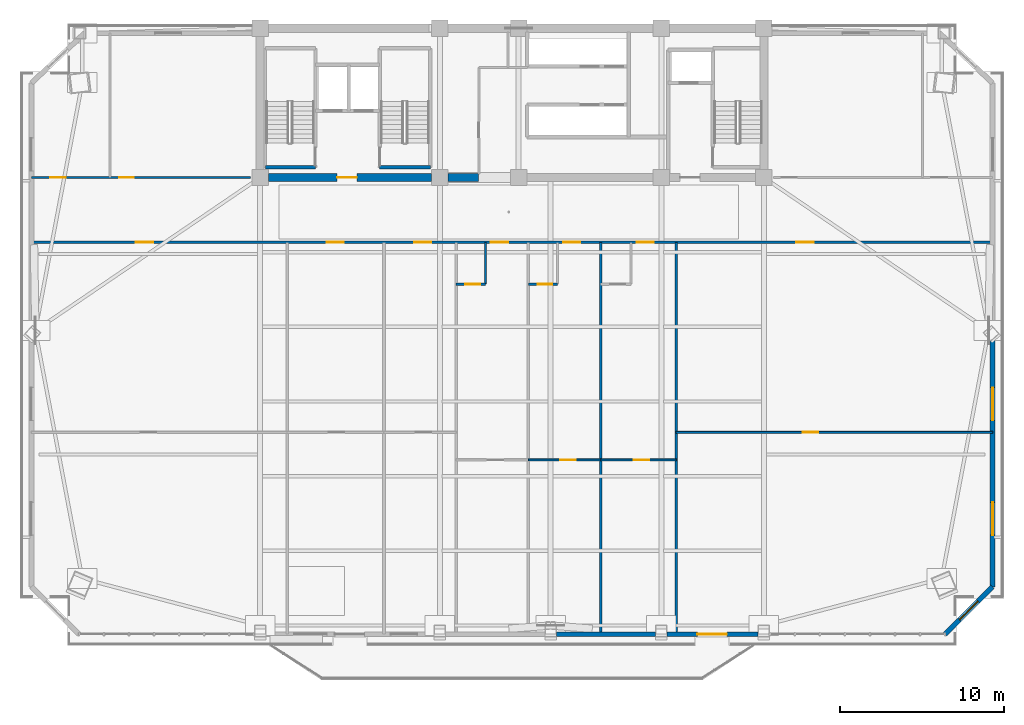
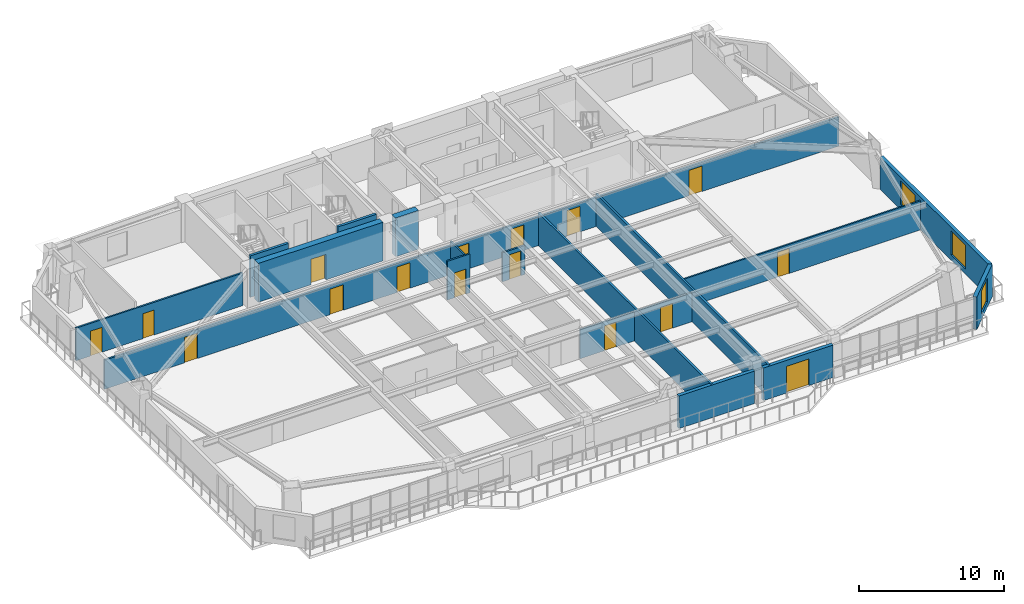
# One storey, part 8 of 15: 18 walls, 16 doors, 3 windows, 19 openings.
"""IFC4 building model written with IfcOpenShell, lengths in metres."""

import ifcopenshell
import ifcopenshell.guid

model = None  # the IFC model being written
_history = None  # IfcOwnerHistory: only IFC2X3 demands one
_inside = {}  # id of a spatial element -> (the spatial element, [elements in it])
_under = {}  # id of a project, library or spatial element -> (it, [spatial elements below it])
_declared = {}  # id of a project -> (the project, [libraries it declares])
_typed = {}  # id of a type object -> (the type object, [elements of that type])
_made_of = {}  # id of a material, layer set ... -> (it, [elements and type objects made of it])


def new_model(schema):
    """Start an empty IFC model of exactly this schema.

    Asked for "IFC4X3", IfcOpenShell would pick the latest addendum, in which some entities
    have other attributes; the version numbers below select the first issue.
    IFC2X3 requires an IfcOwnerHistory on every rooted entity: one is made here for all.
    """
    global model, _history
    if schema == "IFC4X3":
        model = ifcopenshell.file(schema_version=(4, 3, 0, 0))
    else:
        model = ifcopenshell.file(schema=schema)
    _inside.clear()
    _under.clear()
    _declared.clear()
    _typed.clear()
    _made_of.clear()
    _history = None
    if model.schema == "IFC2X3":
        org = make("IfcOrganization", Name="unknown")
        user = make(
            "IfcPersonAndOrganization",
            ThePerson=make("IfcPerson", FamilyName="unknown"),
            TheOrganization=org,
        )
        app = make(
            "IfcApplication",
            ApplicationDeveloper=org,
            Version="unknown",
            ApplicationFullName="unknown",
            ApplicationIdentifier="unknown",
        )
        _history = make(
            "IfcOwnerHistory",
            OwningUser=user,
            OwningApplication=app,
            ChangeAction="ADDED",
            CreationDate=0,
        )
    return model


def make(cls, **values):
    """One entity of the class cls with the attributes given. An attribute that is None is left unset."""
    return model.create_entity(
        cls, **{name: value for name, value in values.items() if value is not None}
    )


def rooted(cls, **values):
    """An entity with a GlobalId (a new one), such as an element, a storey or a relation."""
    return make(cls, GlobalId=ifcopenshell.guid.new(), OwnerHistory=_history, **values)


def si_unit(unit_type, name, prefix=None):
    """IfcSIUnit, for example si_unit("LENGTHUNIT", "METRE", prefix="MILLI")."""
    return make("IfcSIUnit", UnitType=unit_type, Prefix=prefix, Name=name)


def assignment(units):
    """IfcUnitAssignment: the units of a project."""
    return None if units is None else make("IfcUnitAssignment", Units=units)


def point(xyz):
    """IfcCartesianPoint."""
    return None if xyz is None else make("IfcCartesianPoint", Coordinates=xyz)


def direction(xyz):
    """IfcDirection."""
    return None if xyz is None else make("IfcDirection", DirectionRatios=xyz)


def frame(location, z_axis=None, x_axis=None):
    """IfcAxis2Placement3D, a coordinate frame: its origin and axes. An axis left out is left unset."""
    return make(
        "IfcAxis2Placement3D",
        Location=point(location),
        Axis=direction(z_axis),
        RefDirection=direction(x_axis),
    )


def frame_2d(location, x_axis=None):
    """IfcAxis2Placement2D, a coordinate frame in the plane: its origin and x axis."""
    return make(
        "IfcAxis2Placement2D", Location=point(location), RefDirection=direction(x_axis)
    )


def origin():
    """The frame at (0, 0, 0) with its axes left unset."""
    return frame((0.0, 0.0, 0.0))


def place(relative_to, where):
    """IfcLocalPlacement: puts the frame where relative to a parent placement (None: the world)."""
    return make(
        "IfcLocalPlacement", PlacementRelTo=relative_to, RelativePlacement=where
    )


def context(
    kind, dimensions, precision=None, world=None, true_north=None, identifier=None
):
    """IfcGeometricRepresentationContext, for example the 3D "Model" context."""
    return make(
        "IfcGeometricRepresentationContext",
        ContextIdentifier=identifier,
        ContextType=kind,
        CoordinateSpaceDimension=dimensions,
        Precision=precision,
        WorldCoordinateSystem=world,
        TrueNorth=true_north,
    )


def subcontext(parent, identifier, kind, view, scale=None):
    """IfcGeometricRepresentationSubContext, for example "Body" below "Model"."""
    return make(
        "IfcGeometricRepresentationSubContext",
        ContextIdentifier=identifier,
        ContextType=kind,
        ParentContext=parent,
        TargetScale=scale,
        TargetView=view,
    )


def project(units=None, contexts=None):
    """IfcProject with its units and contexts."""
    return rooted(
        "IfcProject",
        Name="project",
        RepresentationContexts=contexts,
        UnitsInContext=assignment(units),
    )


def spatial(cls, under=None, at=None, **own):
    """A site, building, storey or space (cls), placed at a placement, below another one or the project."""
    s = rooted(cls, ObjectPlacement=at, **own)
    if under is not None:
        _under.setdefault(under.id(), (under, []))[1].append(s)
    return s


def profile(cls, at=None, kind="AREA", **sizes):
    """A parametric profile (cls). Its sizes go by their IFC names, for example OverallWidth=200.0."""
    return make(cls, ProfileType=kind, Position=at, **sizes)


def rectangle(**sizes):
    """IfcRectangleProfileDef."""
    return profile("IfcRectangleProfileDef", **sizes)


def extrude(swept, where, along, depth):
    """IfcExtrudedAreaSolid: the profile swept, set in the frame where, extruded along a direction by depth."""
    return make(
        "IfcExtrudedAreaSolid",
        SweptArea=swept,
        Position=where,
        ExtrudedDirection=direction(along),
        Depth=depth,
    )


def shape(context_of_items, identifier, shape_type, items):
    """IfcShapeRepresentation: the items that make up one representation, for example the "Body"."""
    return make(
        "IfcShapeRepresentation",
        ContextOfItems=context_of_items,
        RepresentationIdentifier=identifier,
        RepresentationType=shape_type,
        Items=items,
    )


def source(mapping_origin, context_of_items, identifier, shape_type, items):
    """IfcRepresentationMap: a shape defined once, which mapped items show again and again."""
    return make(
        "IfcRepresentationMap",
        MappingOrigin=mapping_origin,
        MappedRepresentation=shape(context_of_items, identifier, shape_type, items),
    )


def transform(
    local_origin,
    x_axis=None,
    y_axis=None,
    z_axis=None,
    scale=None,
    scale2=None,
    scale3=None,
    uniform=True,
):
    """IfcCartesianTransformationOperator3D, or its non-uniform kind. x_axis, y_axis, z_axis: its Axis1, 2, 3."""
    if uniform:
        return make(
            "IfcCartesianTransformationOperator3D",
            Axis1=direction(x_axis),
            Axis2=direction(y_axis),
            LocalOrigin=point(local_origin),
            Scale=scale,
            Axis3=direction(z_axis),
        )
    return make(
        "IfcCartesianTransformationOperator3DnonUniform",
        Axis1=direction(x_axis),
        Axis2=direction(y_axis),
        LocalOrigin=point(local_origin),
        Scale=scale,
        Axis3=direction(z_axis),
        Scale2=scale2,
        Scale3=scale3,
    )


def mapped(mapping_source, mapping_target):
    """IfcMappedItem: shows the shape of a source again, moved by a transform."""
    return make(
        "IfcMappedItem", MappingSource=mapping_source, MappingTarget=mapping_target
    )


def material(Name=None, Category=None):
    """IfcMaterial."""
    return make("IfcMaterial", Name=Name, Category=Category)


def layer(
    of_material, thickness, ventilated=None, Name=None, Category=None, Priority=None
):
    """IfcMaterialLayer: one layer of a wall or slab, of a material (None: an air gap)."""
    return make(
        "IfcMaterialLayer",
        Material=of_material,
        LayerThickness=thickness,
        IsVentilated=ventilated,
        Name=Name,
        Category=Category,
        Priority=Priority,
    )


def layer_set(layers, Name=None):
    """IfcMaterialLayerSet."""
    return make("IfcMaterialLayerSet", MaterialLayers=layers, LayerSetName=Name)


def made_of(thing, what):
    """Note that an element or type object is made of a material, layer set ...; save() writes the relation."""
    if what is not None:
        _made_of.setdefault(what.id(), (what, []))[1].append(thing)
    return thing


def type_object(cls, material=None, **own):
    """A type object (cls), such as IfcWallType, which elements share."""
    return made_of(rooted(cls, **own), material)


def element(
    cls,
    number,
    at=None,
    inside=None,
    cuts=None,
    type_object=None,
    material=None,
    context=None,
    identifier="Body",
    shape_type=None,
    held_by="IfcProductDefinitionShape",
    body=None,
    shapes=None,
    **own,
):
    """One element of the class cls, such as IfcWall. Its Tag is "e" and its number.

    at: its placement. inside: the storey or other place that contains it. cuts: it is an
    opening in that element (IfcRelVoidsElement). A single representation is given by context,
    identifier, shape_type and body (its items); several are given by shapes. held_by: the class
    of the entity that holds the representations. save() writes the other relations.
    """
    e = rooted(cls, Tag="e%d" % number, ObjectPlacement=at, **own)
    if body is not None:
        shapes = [shape(context, identifier, shape_type, body)]
    if shapes is not None:
        e.Representation = make(held_by, Representations=shapes)
    if inside is not None:
        _inside.setdefault(inside.id(), (inside, []))[1].append(e)
    if cuts is not None:
        rooted(
            "IfcRelVoidsElement", RelatingBuildingElement=cuts, RelatedOpeningElement=e
        )
    if type_object is not None:
        _typed.setdefault(type_object.id(), (type_object, []))[1].append(e)
    return made_of(e, material)


def fill(opening, filler):
    """IfcRelFillsElement: the door or window that sits in an opening."""
    return rooted(
        "IfcRelFillsElement",
        RelatingOpeningElement=opening,
        RelatedBuildingElement=filler,
    )


def aggregate(whole, parts):
    """IfcRelAggregates: a whole, such as a stair, and the parts it consists of."""
    return rooted("IfcRelAggregates", RelatingObject=whole, RelatedObjects=parts)


def save(model, path):
    """Write the relations noted so far, then the file.

    IfcRelAggregates (storeys below a building ...), IfcRelContainedInSpatialStructure (elements
    in a storey), IfcRelDefinesByType, IfcRelAssociatesMaterial and IfcRelDeclares: one each for
    every whole, place, type object, material and project.
    """
    for whole, parts in _under.values():
        aggregate(whole, parts)
    for where, things in _inside.values():
        rooted(
            "IfcRelContainedInSpatialStructure",
            RelatedElements=things,
            RelatingStructure=where,
        )
    for kind, things in _typed.values():
        rooted("IfcRelDefinesByType", RelatedObjects=things, RelatingType=kind)
    for what, things in _made_of.values():
        rooted("IfcRelAssociatesMaterial", RelatedObjects=things, RelatingMaterial=what)
    for by, libraries in _declared.values():
        rooted("IfcRelDeclares", RelatingContext=by, RelatedDefinitions=libraries)
    model.write(path)


model = new_model("IFC4")

# Units and contexts
model_context = context("Model", 3, precision=1e-05, world=origin(), true_north=direction((0.0, 1.0)))
body_context = subcontext(model_context, "Body", "Model", "MODEL_VIEW")
ifc_project = project(units=[si_unit("LENGTHUNIT", "METRE"), si_unit("AREAUNIT", "SQUARE_METRE"), si_unit("VOLUMEUNIT", "CUBIC_METRE"), si_unit("PLANEANGLEUNIT", "RADIAN"), si_unit("MASSUNIT", "GRAM", prefix="KILO")], contexts=[model_context])

# Site, building, storey
site_placement = place(None, origin())
site = spatial("IfcSite", under=ifc_project, at=site_placement, CompositionType="ELEMENT")
building_placement = place(site_placement, origin())
building = spatial("IfcBuilding", under=site, at=building_placement, Name="Giltprow Tower", CompositionType="ELEMENT")
storey_placement = place(building_placement, frame((0.0, 0.0, 177.199951171875)))
storey = spatial("IfcBuildingStorey", under=building, at=storey_placement, Name="L44", CompositionType="ELEMENT", Elevation=177.199951171875)

# Wall, opening, window
ifc_material_1 = material(Name="Precast concrete C40", Category="concrete")
ifc_layer_1 = layer(ifc_material_1, 0.300048828125, Name="Precast concrete C40")
ifc_layer_set_1 = layer_set([ifc_layer_1], Name="Precast concrete C40")
wall_type_1 = type_object("IfcWallType", Name="EW-NOTCH-CHAMFER-300", PredefinedType="SOLIDWALL", material=ifc_layer_set_1)
wall_1_placement = place(storey_placement, frame((61.593994140625, 9.6259765625, 0.0), z_axis=(0.0, 0.0, 1.0), x_axis=(0.707106781187, 0.707106781187, 0.0)))
wall_1 = element("IfcWall", 1, at=wall_1_placement, inside=storey, type_object=wall_type_1, Name="L44 Corner Notch Wall SE", PredefinedType="SOLIDWALL", context=body_context, shape_type="SweptSolid", body=[
    extrude(rectangle(XDim=4.082763671875, YDim=0.300048828125, at=frame_2d((2.04150390625, 0.0))), origin(), (0.0, 0.0, 1.0), 2.75),
])
opening_1_placement = place(wall_1_placement, frame((1.240966796875, 0.0, 0.449951171875)))
opening_1 = element("IfcOpeningElement", 2, at=opening_1_placement, cuts=wall_1, Name="Opening WN17", PredefinedType="OPENING", context=body_context, shape_type="SweptSolid", body=[
    extrude(rectangle(XDim=1.60009765625, YDim=2.0, at=frame_2d((0.800048828125, 1.0))), frame((0.0, 0.159912109375, 0.0), z_axis=(0.0, -1.0, 0.0), x_axis=(1.0, 0.0, 0.0)), (0.0, 0.0, 1.0), 0.320068359375),
])
ifc_material_2 = material(Name="Insulated glass", Category="glass")
window_type_1 = type_object("IfcWindowType", Name="WN-COR-1600x2000", PartitioningType="SINGLE_PANEL", PredefinedType="WINDOW", material=ifc_material_2)
shared_shape_1 = source(origin(), body_context, "Body", "SweptSolid", [
    extrude(rectangle(XDim=1.60009765625, YDim=2.0, at=frame_2d((0.800048828125, 1.0))), frame((0.0, 0.030029296875, 0.0), z_axis=(0.0, -1.0, 0.0), x_axis=(1.0, 0.0, 0.0)), (0.0, 0.0, 1.0), 0.06005859375),
])
window_1_placement = place(opening_1_placement, origin())
window_1 = element("IfcWindow", 3, at=window_1_placement, inside=storey, type_object=window_type_1, Name="L44 Corner Notch Window SE", OverallHeight=2.0, OverallWidth=1.60009765625, PartitioningType="SINGLE_PANEL", PredefinedType="WINDOW", context=body_context, shape_type="MappedRepresentation", body=[
    mapped(shared_shape_1, transform((0.0, 0.0, 0.0), x_axis=(1.0, 0.0, 0.0), y_axis=(0.0, 1.0, 0.0), z_axis=(0.0, 0.0, 1.0), scale=1.0)),
])
fill(opening_1, window_1)

# Wall
ifc_layer_2 = layer(ifc_material_1, 0.280029296875, Name="Precast concrete C40")
ifc_layer_set_2 = layer_set([ifc_layer_2], Name="Precast concrete C40")
wall_type_2 = type_object("IfcWallType", Name="EW-TOW-BRONZE-280", PredefinedType="SOLIDWALL", material=ifc_layer_set_2)
wall_2_placement = place(storey_placement, frame((37.89990234375, 9.6259765625, 0.0), z_axis=(0.0, 0.0, 1.0), x_axis=(1.0, 0.0, 0.0)))
element("IfcWall", 4, at=wall_2_placement, inside=storey, type_object=wall_type_2, Name="L44 South Expressed Frame Wall 4", PredefinedType="SOLIDWALL", context=body_context, shape_type="SweptSolid", body=[
    extrude(rectangle(XDim=6.050048828125, YDim=0.280029296875, at=frame_2d((3.02490234375, 0.0))), origin(), (0.0, 0.0, 1.0), 2.75),
])

# Wall, opening, door
wall_3_placement = place(storey_placement, frame((44.64990234375, 9.6259765625, 0.0), z_axis=(0.0, 0.0, 1.0), x_axis=(1.0, 0.0, 0.0)))
wall_3 = element("IfcWall", 5, at=wall_3_placement, inside=storey, type_object=wall_type_2, Name="L44 South Expressed Frame Wall 5", PredefinedType="SOLIDWALL", context=body_context, shape_type="SweptSolid", body=[
    extrude(rectangle(XDim=5.550048828125, YDim=0.280029296875, at=frame_2d((2.77490234375, 0.0))), origin(), (0.0, 0.0, 1.0), 2.75),
])
opening_2_placement = place(wall_3_placement, frame((1.85009765625, 0.0, 0.0)))
opening_2 = element("IfcOpeningElement", 6, at=opening_2_placement, cuts=wall_3, Name="Opening ED25", PredefinedType="OPENING", context=body_context, shape_type="SweptSolid", body=[
    extrude(rectangle(XDim=1.800048828125, YDim=2.25, at=frame_2d((0.89990234375, 1.125))), frame((0.0, 0.14990234375, 0.0), z_axis=(0.0, -1.0, 0.0), x_axis=(1.0, 0.0, 0.0)), (0.0, 0.0, 1.0), 0.300048828125),
])
ifc_material_3 = material(Name="Anodized bronze and glass", Category="glass")
door_type_1 = type_object("IfcDoorType", Name="DR-BALC-SLIDE-1800", OperationType="SLIDING_TO_LEFT", PredefinedType="DOOR", material=ifc_material_3)
shared_shape_2 = source(origin(), body_context, "Body", "SweptSolid", [
    extrude(rectangle(XDim=1.800048828125, YDim=2.25, at=frame_2d((0.89990234375, 1.125))), frame((0.0, 0.02490234375, 0.0), z_axis=(0.0, -1.0, 0.0), x_axis=(1.0, 0.0, 0.0)), (0.0, 0.0, 1.0), 0.050048828125),
])
door_1_placement = place(opening_2_placement, origin())
door_1 = element("IfcDoor", 7, at=door_1_placement, inside=storey, type_object=door_type_1, Name="L44 Waterfront Balcony Sliding Door 2", OperationType="SLIDING_TO_LEFT", OverallHeight=2.25, OverallWidth=1.800048828125, PredefinedType="DOOR", context=body_context, shape_type="MappedRepresentation", body=[
    mapped(shared_shape_2, transform((0.0, 0.0, 0.0), x_axis=(1.0, 0.0, 0.0), y_axis=(0.0, 1.0, 0.0), z_axis=(0.0, 0.0, 1.0), scale=1.0)),
])
fill(opening_2, door_1)

# Wall, openings, windows
wall_4_placement = place(storey_placement, frame((64.48095703125, 12.512939453125, 0.0), z_axis=(0.0, 0.0, 1.0), x_axis=(0.0, 1.0, 0.0)))
wall_4 = element("IfcWall", 8, at=wall_4_placement, inside=storey, type_object=wall_type_2, Name="L44 E Wing Masonry Wall 1", PredefinedType="SOLIDWALL", context=body_context, shape_type="SweptSolid", body=[
    extrude(rectangle(XDim=15.0, YDim=0.280029296875, at=frame_2d((7.5, 0.0))), origin(), (0.0, 0.0, 1.0), 2.75),
])
opening_3_placement = place(wall_4_placement, frame((3.139892578125, 0.0, 0.449951171875)))
opening_3 = element("IfcOpeningElement", 9, at=opening_3_placement, cuts=wall_4, Name="Opening WN21", PredefinedType="OPENING", context=body_context, shape_type="SweptSolid", body=[
    extrude(rectangle(XDim=2.0, YDim=2.0, at=frame_2d((1.0, 1.0))), frame((0.0, 0.14990234375, 0.0), z_axis=(0.0, -1.0, 0.0), x_axis=(1.0, 0.0, 0.0)), (0.0, 0.0, 1.0), 0.300048828125),
])
opening_4_placement = place(wall_4_placement, frame((10.139892578125, 0.0, 0.449951171875)))
opening_4 = element("IfcOpeningElement", 10, at=opening_4_placement, cuts=wall_4, Name="Opening WN21", PredefinedType="OPENING", context=body_context, shape_type="SweptSolid", body=[
    extrude(rectangle(XDim=2.0, YDim=2.0, at=frame_2d((1.0, 1.0))), frame((0.0, 0.14990234375, 0.0), z_axis=(0.0, -1.0, 0.0), x_axis=(1.0, 0.0, 0.0)), (0.0, 0.0, 1.0), 0.300048828125),
])
window_type_2 = type_object("IfcWindowType", Name="WN-HTL-2000x2000", PartitioningType="DOUBLE_PANEL_VERTICAL", PredefinedType="WINDOW", material=ifc_material_2)
shared_shape_3 = source(origin(), body_context, "Body", "SweptSolid", [
    extrude(rectangle(XDim=2.0, YDim=2.0, at=frame_2d((1.0, 1.0))), frame((0.0, 0.030029296875, 0.0), z_axis=(0.0, -1.0, 0.0), x_axis=(1.0, 0.0, 0.0)), (0.0, 0.0, 1.0), 0.06005859375),
])
window_2_placement = place(opening_3_placement, origin())
window_2 = element("IfcWindow", 11, at=window_2_placement, inside=storey, type_object=window_type_2, Name="L44 E Wing Window 1-1A", OverallHeight=2.0, OverallWidth=2.0, PartitioningType="SINGLE_PANEL", PredefinedType="WINDOW", context=body_context, shape_type="MappedRepresentation", body=[
    mapped(shared_shape_3, transform((0.0, 0.0, 0.0), x_axis=(1.0, 0.0, 0.0), y_axis=(0.0, 1.0, 0.0), z_axis=(0.0, 0.0, 1.0), scale=1.0)),
])
fill(opening_3, window_2)
window_3_placement = place(opening_4_placement, origin())
window_3 = element("IfcWindow", 12, at=window_3_placement, inside=storey, type_object=window_type_2, Name="L44 E Wing Window 1-1B", OverallHeight=2.0, OverallWidth=2.0, PartitioningType="SINGLE_PANEL", PredefinedType="WINDOW", context=body_context, shape_type="MappedRepresentation", body=[
    mapped(shared_shape_3, transform((0.0, 0.0, 0.0), x_axis=(1.0, 0.0, 0.0), y_axis=(0.0, 1.0, 0.0), z_axis=(0.0, 0.0, 1.0), scale=1.0)),
])
fill(opening_4, window_3)

# Wall, openings, doors
ifc_material_4 = material(Name="Gypsum stud partition", Category="gypsum")
ifc_layer_3 = layer(ifc_material_4, 0.14990234375, Name="Gypsum stud partition")
ifc_layer_set_3 = layer_set([ifc_layer_3], Name="Gypsum stud partition")
wall_type_3 = type_object("IfcWallType", Name="IW-CORR-150", PredefinedType="PARTITIONING", material=ifc_layer_set_3)
wall_5_placement = place(storey_placement, frame((5.9189453125, 33.5, 0.0), z_axis=(0.0, 0.0, 1.0), x_axis=(1.0, 0.0, 0.0)))
wall_5 = element("IfcWall", 13, at=wall_5_placement, inside=storey, type_object=wall_type_3, Name="L44 Hotel Guestroom Corridor Wall", PredefinedType="PARTITIONING", context=body_context, shape_type="SweptSolid", body=[
    extrude(rectangle(XDim=58.56201171875, YDim=0.14990234375, at=frame_2d((29.281005859375, 0.0))), origin(), (0.0, 0.0, 1.0), 2.455078125),
])
opening_5_placement = place(wall_5_placement, frame((6.360107421875, 0.0, 0.0)))
opening_5 = element("IfcOpeningElement", 14, at=opening_5_placement, cuts=wall_5, Name="Opening ID31", PredefinedType="OPENING", context=body_context, shape_type="SweptSolid", body=[
    extrude(rectangle(XDim=1.050048828125, YDim=2.14990234375, at=frame_2d((0.52490234375, 1.074951171875))), frame((0.0, 0.0849609375, 0.0), z_axis=(0.0, -1.0, 0.0), x_axis=(1.0, 0.0, 0.0)), (0.0, 0.0, 1.0), 0.169921875),
])
opening_6_placement = place(wall_5_placement, frame((17.991943359375, 0.0, 0.0)))
opening_6 = element("IfcOpeningElement", 15, at=opening_6_placement, cuts=wall_5, Name="Opening ID31", PredefinedType="OPENING", context=body_context, shape_type="SweptSolid", body=[
    extrude(rectangle(XDim=1.050048828125, YDim=2.14990234375, at=frame_2d((0.52490234375, 1.074951171875))), frame((0.0, 0.0849609375, 0.0), z_axis=(0.0, -1.0, 0.0), x_axis=(1.0, 0.0, 0.0)), (0.0, 0.0, 1.0), 0.169921875),
])
opening_7_placement = place(wall_5_placement, frame((23.322021484375, 0.0, 0.0)))
opening_7 = element("IfcOpeningElement", 16, at=opening_7_placement, cuts=wall_5, Name="Opening ID31", PredefinedType="OPENING", context=body_context, shape_type="SweptSolid", body=[
    extrude(rectangle(XDim=1.050048828125, YDim=2.14990234375, at=frame_2d((0.52490234375, 1.074951171875))), frame((0.0, 0.0849609375, 0.0), z_axis=(0.0, -1.0, 0.0), x_axis=(1.0, 0.0, 0.0)), (0.0, 0.0, 1.0), 0.169921875),
])
opening_8_placement = place(wall_5_placement, frame((27.9970703125, 0.0, 0.0)))
opening_8 = element("IfcOpeningElement", 17, at=opening_8_placement, cuts=wall_5, Name="Opening ID31", PredefinedType="OPENING", context=body_context, shape_type="SweptSolid", body=[
    extrude(rectangle(XDim=1.050048828125, YDim=2.14990234375, at=frame_2d((0.52490234375, 1.074951171875))), frame((0.0, 0.0849609375, 0.0), z_axis=(0.0, -1.0, 0.0), x_axis=(1.0, 0.0, 0.0)), (0.0, 0.0, 1.0), 0.169921875),
])
opening_9_placement = place(wall_5_placement, frame((32.39697265625, 0.0, 0.0)))
opening_9 = element("IfcOpeningElement", 18, at=opening_9_placement, cuts=wall_5, Name="Opening ID31", PredefinedType="OPENING", context=body_context, shape_type="SweptSolid", body=[
    extrude(rectangle(XDim=1.050048828125, YDim=2.14990234375, at=frame_2d((0.52490234375, 1.074951171875))), frame((0.0, 0.0849609375, 0.0), z_axis=(0.0, -1.0, 0.0), x_axis=(1.0, 0.0, 0.0)), (0.0, 0.0, 1.0), 0.169921875),
])
opening_10_placement = place(wall_5_placement, frame((36.876953125, 0.0, 0.0)))
opening_10 = element("IfcOpeningElement", 19, at=opening_10_placement, cuts=wall_5, Name="Opening ID31", PredefinedType="OPENING", context=body_context, shape_type="SweptSolid", body=[
    extrude(rectangle(XDim=1.050048828125, YDim=2.14990234375, at=frame_2d((0.52490234375, 1.074951171875))), frame((0.0, 0.0849609375, 0.0), z_axis=(0.0, -1.0, 0.0), x_axis=(1.0, 0.0, 0.0)), (0.0, 0.0, 1.0), 0.169921875),
])
opening_11_placement = place(wall_5_placement, frame((46.612060546875, 0.0, 0.0)))
opening_11 = element("IfcOpeningElement", 20, at=opening_11_placement, cuts=wall_5, Name="Opening ID31", PredefinedType="OPENING", context=body_context, shape_type="SweptSolid", body=[
    extrude(rectangle(XDim=1.050048828125, YDim=2.14990234375, at=frame_2d((0.52490234375, 1.074951171875))), frame((0.0, 0.0849609375, 0.0), z_axis=(0.0, -1.0, 0.0), x_axis=(1.0, 0.0, 0.0)), (0.0, 0.0, 1.0), 0.169921875),
])
ifc_material_5 = material(Name="Engineered timber", Category="wood")
door_type_2 = type_object("IfcDoorType", Name="DR-SUITE-1050", OperationType="SINGLE_SWING_LEFT", PredefinedType="DOOR", material=ifc_material_5)
shared_shape_4 = source(origin(), body_context, "Body", "SweptSolid", [
    extrude(rectangle(XDim=1.050048828125, YDim=2.14990234375, at=frame_2d((0.52490234375, 1.074951171875))), frame((0.0, 0.02490234375, 0.0), z_axis=(0.0, -1.0, 0.0), x_axis=(1.0, 0.0, 0.0)), (0.0, 0.0, 1.0), 0.050048828125),
])
door_2_placement = place(opening_5_placement, origin())
door_2 = element("IfcDoor", 21, at=door_2_placement, inside=storey, type_object=door_type_2, Name="L44 Suite Reception Foyer Door", OperationType="SINGLE_SWING_RIGHT", OverallHeight=2.14990234375, OverallWidth=1.050048828125, PredefinedType="DOOR", context=body_context, shape_type="MappedRepresentation", body=[
    mapped(shared_shape_4, transform((0.0, 0.0, 0.0), x_axis=(1.0, 0.0, 0.0), y_axis=(0.0, 1.0, 0.0), z_axis=(0.0, 0.0, 1.0), scale=1.0)),
])
fill(opening_5, door_2)
door_3_placement = place(opening_6_placement, origin())
door_3 = element("IfcDoor", 22, at=door_3_placement, inside=storey, type_object=door_type_2, Name="L44 Suite Reception Foyer Door", OperationType="SINGLE_SWING_RIGHT", OverallHeight=2.14990234375, OverallWidth=1.050048828125, PredefinedType="DOOR", context=body_context, shape_type="MappedRepresentation", body=[
    mapped(shared_shape_4, transform((0.0, 0.0, 0.0), x_axis=(1.0, 0.0, 0.0), y_axis=(0.0, 1.0, 0.0), z_axis=(0.0, 0.0, 1.0), scale=1.0)),
])
fill(opening_6, door_3)
door_4_placement = place(opening_7_placement, origin())
door_4 = element("IfcDoor", 23, at=door_4_placement, inside=storey, type_object=door_type_2, Name="L44 Suite Reception Foyer Door", OperationType="SINGLE_SWING_RIGHT", OverallHeight=2.14990234375, OverallWidth=1.050048828125, PredefinedType="DOOR", context=body_context, shape_type="MappedRepresentation", body=[
    mapped(shared_shape_4, transform((0.0, 0.0, 0.0), x_axis=(1.0, 0.0, 0.0), y_axis=(0.0, 1.0, 0.0), z_axis=(0.0, 0.0, 1.0), scale=1.0)),
])
fill(opening_7, door_4)
door_5_placement = place(opening_8_placement, origin())
door_5 = element("IfcDoor", 24, at=door_5_placement, inside=storey, type_object=door_type_2, Name="L44 Hotel Room 4 Entry Door", OperationType="SINGLE_SWING_RIGHT", OverallHeight=2.14990234375, OverallWidth=1.050048828125, PredefinedType="DOOR", context=body_context, shape_type="MappedRepresentation", body=[
    mapped(shared_shape_4, transform((0.0, 0.0, 0.0), x_axis=(1.0, 0.0, 0.0), y_axis=(0.0, 1.0, 0.0), z_axis=(0.0, 0.0, 1.0), scale=1.0)),
])
fill(opening_8, door_5)
door_6_placement = place(opening_9_placement, origin())
door_6 = element("IfcDoor", 25, at=door_6_placement, inside=storey, type_object=door_type_2, Name="L44 Hotel Room 5 Entry Door", OperationType="SINGLE_SWING_LEFT", OverallHeight=2.14990234375, OverallWidth=1.050048828125, PredefinedType="DOOR", context=body_context, shape_type="MappedRepresentation", body=[
    mapped(shared_shape_4, transform((0.0, 0.0, 0.0), x_axis=(1.0, 0.0, 0.0), y_axis=(0.0, 1.0, 0.0), z_axis=(0.0, 0.0, 1.0), scale=1.0)),
])
fill(opening_9, door_6)
door_7_placement = place(opening_10_placement, origin())
door_7 = element("IfcDoor", 26, at=door_7_placement, inside=storey, type_object=door_type_2, Name="L44 Hotel Room 6 Entry Door", OperationType="SINGLE_SWING_RIGHT", OverallHeight=2.14990234375, OverallWidth=1.050048828125, PredefinedType="DOOR", context=body_context, shape_type="MappedRepresentation", body=[
    mapped(shared_shape_4, transform((0.0, 0.0, 0.0), x_axis=(1.0, 0.0, 0.0), y_axis=(0.0, 1.0, 0.0), z_axis=(0.0, 0.0, 1.0), scale=1.0)),
])
fill(opening_10, door_7)
door_8_placement = place(opening_11_placement, origin())
door_8 = element("IfcDoor", 27, at=door_8_placement, inside=storey, type_object=door_type_2, Name="L44 Suite Reception Foyer Door", OperationType="SINGLE_SWING_LEFT", OverallHeight=2.14990234375, OverallWidth=1.050048828125, PredefinedType="DOOR", context=body_context, shape_type="MappedRepresentation", body=[
    mapped(shared_shape_4, transform((0.0, 0.0, 0.0), x_axis=(1.0, 0.0, 0.0), y_axis=(0.0, 1.0, 0.0), z_axis=(0.0, 0.0, 1.0), scale=1.0)),
])
fill(opening_11, door_8)

# Walls
ifc_layer_4 = layer(ifc_material_4, 0.159912109375, Name="Gypsum stud partition")
ifc_layer_set_4 = layer_set([ifc_layer_4], Name="Gypsum stud partition")
wall_type_4 = type_object("IfcWallType", Name="IW-DEMISE-160", PredefinedType="PARTITIONING", material=ifc_layer_set_4)
for number, where, z_axis, x_axis, name in (
    (28, (40.60009765625, 9.6259765625, 0.0), (0.0, 0.0, 1.0), (0.0, 1.0, 0.0), "L44 Hotel Demising Wall 5"),
    (29, (45.199951171875, 9.6259765625, 0.0), (0.0, 0.0, 1.0), (0.0, 1.0, 0.0), "L44 Hotel Demising Wall 6"),
):
    element("IfcWall", number, at=place(storey_placement, frame(where, z_axis=z_axis, x_axis=x_axis)), inside=storey, type_object=wall_type_4, Name=name, PredefinedType="PARTITIONING", context=body_context, shape_type="SweptSolid", body=[
        extrude(rectangle(XDim=23.8740234375, YDim=0.159912109375, at=frame_2d((11.93701171875, 0.0))), origin(), (0.0, 0.0, 1.0), 2.755126953125),
    ])

# Wall, opening, door
ifc_layer_5 = layer(ifc_material_4, 0.1201171875, Name="Gypsum stud partition")
ifc_layer_set_5 = layer_set([ifc_layer_5], Name="Gypsum stud partition")
wall_type_5 = type_object("IfcWallType", Name="IW-ROOM-120", PredefinedType="PARTITIONING", material=ifc_layer_set_5)
wall_6_placement = place(storey_placement, frame((36.199951171875, 20.239990234375, 0.0), z_axis=(0.0, 0.0, 1.0), x_axis=(1.0, 0.0, 0.0)))
wall_6 = element("IfcWall", 30, at=wall_6_placement, inside=storey, type_object=wall_type_5, Name="L44 Suite Parlour Divider 5", PredefinedType="PARTITIONING", context=body_context, shape_type="SweptSolid", body=[
    extrude(rectangle(XDim=4.400146484375, YDim=0.1201171875, at=frame_2d((2.2001953125, 0.0))), origin(), (0.0, 0.0, 1.0), 2.455078125),
])
opening_12_placement = place(wall_6_placement, frame((1.925048828125, 0.0, 0.0)))
opening_12 = element("IfcOpeningElement", 31, at=opening_12_placement, cuts=wall_6, Name="Opening ID11", PredefinedType="OPENING", context=body_context, shape_type="SweptSolid", body=[
    extrude(rectangle(XDim=0.949951171875, YDim=2.10009765625, at=frame_2d((0.47509765625, 1.050048828125))), frame((0.0, 0.070068359375, 0.0), z_axis=(0.0, -1.0, 0.0), x_axis=(1.0, 0.0, 0.0)), (0.0, 0.0, 1.0), 0.14013671875),
])
door_type_3 = type_object("IfcDoorType", Name="DR-ROOM-950", OperationType="SINGLE_SWING_RIGHT", PredefinedType="DOOR", material=ifc_material_5)
shared_shape_5 = source(origin(), body_context, "Body", "SweptSolid", [
    extrude(rectangle(XDim=0.949951171875, YDim=2.10009765625, at=frame_2d((0.47509765625, 1.050048828125))), frame((0.0, 0.02490234375, 0.0), z_axis=(0.0, -1.0, 0.0), x_axis=(1.0, 0.0, 0.0)), (0.0, 0.0, 1.0), 0.050048828125),
])
door_9_placement = place(opening_12_placement, origin())
door_9 = element("IfcDoor", 32, at=door_9_placement, inside=storey, type_object=door_type_3, Name="L44 Harbour Parlour 5 Door", OperationType="SINGLE_SWING_LEFT", OverallHeight=2.10009765625, OverallWidth=0.949951171875, PredefinedType="DOOR", context=body_context, shape_type="MappedRepresentation", body=[
    mapped(shared_shape_5, transform((0.0, 0.0, 0.0), x_axis=(1.0, 0.0, 0.0), y_axis=(0.0, 1.0, 0.0), z_axis=(0.0, 0.0, 1.0), scale=1.0)),
])
fill(opening_12, door_9)

wall_7_placement = place(storey_placement, frame((40.60009765625, 20.239990234375, 0.0), z_axis=(0.0, 0.0, 1.0), x_axis=(1.0, 0.0, 0.0)))
wall_7 = element("IfcWall", 33, at=wall_7_placement, inside=storey, type_object=wall_type_5, Name="L44 Suite Parlour Divider 6", PredefinedType="PARTITIONING", context=body_context, shape_type="SweptSolid", body=[
    extrude(rectangle(XDim=4.599853515625, YDim=0.1201171875, at=frame_2d((2.2998046875, 0.0))), origin(), (0.0, 0.0, 1.0), 2.455078125),
])
opening_13_placement = place(wall_7_placement, frame((2.02490234375, 0.0, 0.0)))
opening_13 = element("IfcOpeningElement", 34, at=opening_13_placement, cuts=wall_7, Name="Opening ID11", PredefinedType="OPENING", context=body_context, shape_type="SweptSolid", body=[
    extrude(rectangle(XDim=0.949951171875, YDim=2.10009765625, at=frame_2d((0.47509765625, 1.050048828125))), frame((0.0, 0.070068359375, 0.0), z_axis=(0.0, -1.0, 0.0), x_axis=(1.0, 0.0, 0.0)), (0.0, 0.0, 1.0), 0.14013671875),
])
door_10_placement = place(opening_13_placement, origin())
door_10 = element("IfcDoor", 35, at=door_10_placement, inside=storey, type_object=door_type_3, Name="L44 Harbour Parlour 6 Door", OperationType="SINGLE_SWING_RIGHT", OverallHeight=2.10009765625, OverallWidth=0.949951171875, PredefinedType="DOOR", context=body_context, shape_type="MappedRepresentation", body=[
    mapped(shared_shape_5, transform((0.0, 0.0, 0.0), x_axis=(1.0, 0.0, 0.0), y_axis=(0.0, 1.0, 0.0), z_axis=(0.0, 0.0, 1.0), scale=1.0)),
])
fill(opening_13, door_10)

wall_8_placement = place(storey_placement, frame((45.199951171875, 21.927001953125, 0.0), z_axis=(0.0, 0.0, 1.0), x_axis=(1.0, 0.0, 0.0)))
wall_8 = element("IfcWall", 36, at=wall_8_placement, inside=storey, type_object=wall_type_5, Name="L44 Amenity Mid Wall 7", PredefinedType="PARTITIONING", context=body_context, shape_type="SweptSolid", body=[
    extrude(rectangle(XDim=19.281005859375, YDim=0.1201171875, at=frame_2d((9.640625, 0.0))), origin(), (0.0, 0.0, 1.0), 2.455078125),
])
opening_14_placement = place(wall_8_placement, frame((7.705078125, 0.0, 0.0)))
opening_14 = element("IfcOpeningElement", 37, at=opening_14_placement, cuts=wall_8, Name="Opening ID11", PredefinedType="OPENING", context=body_context, shape_type="SweptSolid", body=[
    extrude(rectangle(XDim=0.949951171875, YDim=2.10009765625, at=frame_2d((0.47509765625, 1.050048828125))), frame((0.0, 0.070068359375, 0.0), z_axis=(0.0, -1.0, 0.0), x_axis=(1.0, 0.0, 0.0)), (0.0, 0.0, 1.0), 0.14013671875),
])
door_11_placement = place(opening_14_placement, origin())
door_11 = element("IfcDoor", 38, at=door_11_placement, inside=storey, type_object=door_type_3, Name="L44 Banquet Meeting Room 4 Inner Door", OperationType="SINGLE_SWING_RIGHT", OverallHeight=2.10009765625, OverallWidth=0.949951171875, PredefinedType="DOOR", context=body_context, shape_type="MappedRepresentation", body=[
    mapped(shared_shape_5, transform((0.0, 0.0, 0.0), x_axis=(1.0, 0.0, 0.0), y_axis=(0.0, 1.0, 0.0), z_axis=(0.0, 0.0, 1.0), scale=1.0)),
])
fill(opening_14, door_11)

# Walls
ifc_material_6 = material(Name="Concrete C40", Category="concrete")
ifc_layer_6 = layer(ifc_material_6, 0.199951171875, Name="Concrete C40")
ifc_layer_set_6 = layer_set([ifc_layer_6], Name="Concrete C40")
wall_type_6 = type_object("IfcWallType", Name="IW-STAIR-200", PredefinedType="SOLIDWALL", material=ifc_layer_set_6)
wall_9_placement = place(storey_placement, frame((20.169921875, 38.070068359375, 0.0), z_axis=(0.0, 0.0, 1.0), x_axis=(1.0, 0.0, 0.0)))
element("IfcWall", 39, at=wall_9_placement, inside=storey, type_object=wall_type_6, Name="L44 Stair ST-1 South Bearing Wall", PredefinedType="SOLIDWALL", context=body_context, shape_type="SweptSolid", body=[
    extrude(rectangle(XDim=3.050048828125, YDim=0.199951171875, at=frame_2d((1.52490234375, 0.0))), origin(), (0.0, 0.0, 1.0), 3.5),
])
wall_10_placement = place(storey_placement, frame((27.139892578125, 38.070068359375, 0.0), z_axis=(0.0, 0.0, 1.0), x_axis=(1.0, 0.0, 0.0)))
element("IfcWall", 40, at=wall_10_placement, inside=storey, type_object=wall_type_6, Name="L44 Stair ST-2 South Bearing Wall", PredefinedType="SOLIDWALL", context=body_context, shape_type="SweptSolid", body=[
    extrude(rectangle(XDim=3.080078125, YDim=0.199951171875, at=frame_2d((1.5400390625, 0.0))), origin(), (0.0, 0.0, 1.0), 3.5),
])

# Wall, opening, door
ifc_material_7 = material(Name="Concrete C30", Category="concrete")
ifc_layer_7 = layer(ifc_material_7, 0.1298828125, Name="Concrete C30")
ifc_layer_set_7 = layer_set([ifc_layer_7], Name="Concrete C30")
wall_type_7 = type_object("IfcWallType", Name="IW-WET-130", PredefinedType="PARTITIONING", material=ifc_layer_set_7)
wall_11_placement = place(storey_placement, frame((31.800048828125, 30.949951171875, 0.0), z_axis=(0.0, 0.0, 1.0), x_axis=(1.0, 0.0, 0.0)))
wall_11 = element("IfcWall", 41, at=wall_11_placement, inside=storey, type_object=wall_type_7, Name="L44 En-Suite South Wall 4", PredefinedType="PARTITIONING", context=body_context, shape_type="SweptSolid", body=[
    extrude(rectangle(XDim=1.77587890625, YDim=0.1298828125, at=frame_2d((0.887939453125, 0.0))), origin(), (0.0, 0.0, 1.0), 3.27001953125),
])
opening_15_placement = place(wall_11_placement, frame((0.55810546875, 0.0, 0.0)))
opening_15 = element("IfcOpeningElement", 42, at=opening_15_placement, cuts=wall_11, Name="Opening ID15", PredefinedType="OPENING", context=body_context, shape_type="SweptSolid", body=[
    extrude(rectangle(XDim=0.89990234375, YDim=2.10009765625, at=frame_2d((0.449951171875, 1.050048828125))), frame((0.0, 0.074951171875, 0.0), z_axis=(0.0, -1.0, 0.0), x_axis=(1.0, 0.0, 0.0)), (0.0, 0.0, 1.0), 0.14990234375),
])
door_type_4 = type_object("IfcDoorType", Name="DR-WC-900", OperationType="SINGLE_SWING_LEFT", PredefinedType="DOOR", material=ifc_material_5)
shared_shape_6 = source(origin(), body_context, "Body", "SweptSolid", [
    extrude(rectangle(XDim=0.89990234375, YDim=2.10009765625, at=frame_2d((0.449951171875, 1.050048828125))), frame((0.0, 0.02490234375, 0.0), z_axis=(0.0, -1.0, 0.0), x_axis=(1.0, 0.0, 0.0)), (0.0, 0.0, 1.0), 0.050048828125),
])
door_12_placement = place(opening_15_placement, origin())
door_12 = element("IfcDoor", 43, at=door_12_placement, inside=storey, type_object=door_type_4, Name="L44 En-Suite 4 Door", OperationType="SINGLE_SWING_LEFT", OverallHeight=2.10009765625, OverallWidth=0.89990234375, PredefinedType="DOOR", context=body_context, shape_type="MappedRepresentation", body=[
    mapped(shared_shape_6, transform((0.0, 0.0, 0.0), x_axis=(1.0, 0.0, 0.0), y_axis=(0.0, 1.0, 0.0), z_axis=(0.0, 0.0, 1.0), scale=1.0)),
])
fill(opening_15, door_12)

# Wall
wall_12_placement = place(storey_placement, frame((33.575927734375, 30.949951171875, 0.0), z_axis=(0.0, 0.0, 1.0), x_axis=(0.0, 1.0, 0.0)))
element("IfcWall", 44, at=wall_12_placement, inside=storey, type_object=wall_type_7, Name="L44 En-Suite East Wall 4", PredefinedType="PARTITIONING", context=body_context, shape_type="SweptSolid", body=[
    extrude(rectangle(XDim=2.550048828125, YDim=0.1298828125, at=frame_2d((1.27490234375, 0.0))), origin(), (0.0, 0.0, 1.0), 2.804931640625),
])

# Wall, opening, door
wall_13_placement = place(storey_placement, frame((36.199951171875, 30.949951171875, 0.0), z_axis=(0.0, 0.0, 1.0), x_axis=(1.0, 0.0, 0.0)))
wall_13 = element("IfcWall", 45, at=wall_13_placement, inside=storey, type_object=wall_type_7, Name="L44 En-Suite South Wall 5", PredefinedType="PARTITIONING", context=body_context, shape_type="SweptSolid", body=[
    extrude(rectangle(XDim=1.776123046875, YDim=0.1298828125, at=frame_2d((0.88818359375, 0.0))), origin(), (0.0, 0.0, 1.0), 2.455078125),
])
opening_16_placement = place(wall_13_placement, frame((0.55810546875, 0.0, 0.0)))
opening_16 = element("IfcOpeningElement", 46, at=opening_16_placement, cuts=wall_13, Name="Opening ID15", PredefinedType="OPENING", context=body_context, shape_type="SweptSolid", body=[
    extrude(rectangle(XDim=0.89990234375, YDim=2.10009765625, at=frame_2d((0.449951171875, 1.050048828125))), frame((0.0, 0.074951171875, 0.0), z_axis=(0.0, -1.0, 0.0), x_axis=(1.0, 0.0, 0.0)), (0.0, 0.0, 1.0), 0.14990234375),
])
door_13_placement = place(opening_16_placement, origin())
door_13 = element("IfcDoor", 47, at=door_13_placement, inside=storey, type_object=door_type_4, Name="L44 En-Suite 5 Door", OperationType="SINGLE_SWING_RIGHT", OverallHeight=2.10009765625, OverallWidth=0.89990234375, PredefinedType="DOOR", context=body_context, shape_type="MappedRepresentation", body=[
    mapped(shared_shape_6, transform((0.0, 0.0, 0.0), x_axis=(1.0, 0.0, 0.0), y_axis=(0.0, 1.0, 0.0), z_axis=(0.0, 0.0, 1.0), scale=1.0)),
])
fill(opening_16, door_13)

# Wall, openings, doors
wall_14_placement = place(storey_placement, frame((5.9189453125, 37.449951171875, 0.0), z_axis=(0.0, 0.0, 1.0), x_axis=(1.0, 0.0, 0.0)))
wall_14 = element("IfcWall", 48, at=wall_14_placement, inside=storey, type_object=wall_type_7, Name="L44 NW Wing South Wall", PredefinedType="PARTITIONING", context=body_context, shape_type="SweptSolid", body=[
    extrude(rectangle(XDim=13.3310546875, YDim=0.1298828125, at=frame_2d((6.66552734375, 0.0))), origin(), (0.0, 0.0, 1.0), 2.755126953125),
])
opening_17_placement = place(wall_14_placement, frame((1.135009765625, 0.0, 0.0)))
opening_17 = element("IfcOpeningElement", 49, at=opening_17_placement, cuts=wall_14, Name="Opening ID11", PredefinedType="OPENING", context=body_context, shape_type="SweptSolid", body=[
    extrude(rectangle(XDim=0.949951171875, YDim=2.10009765625, at=frame_2d((0.47509765625, 1.050048828125))), frame((0.0, 0.074951171875, 0.0), z_axis=(0.0, -1.0, 0.0), x_axis=(1.0, 0.0, 0.0)), (0.0, 0.0, 1.0), 0.14990234375),
])
opening_18_placement = place(wall_14_placement, frame((5.3359375, 0.0, 0.0)))
opening_18 = element("IfcOpeningElement", 50, at=opening_18_placement, cuts=wall_14, Name="Opening ID15", PredefinedType="OPENING", context=body_context, shape_type="SweptSolid", body=[
    extrude(rectangle(XDim=0.89990234375, YDim=2.10009765625, at=frame_2d((0.449951171875, 1.050048828125))), frame((0.0, 0.074951171875, 0.0), z_axis=(0.0, -1.0, 0.0), x_axis=(1.0, 0.0, 0.0)), (0.0, 0.0, 1.0), 0.14990234375),
])
door_14_placement = place(opening_18_placement, origin())
door_14 = element("IfcDoor", 51, at=door_14_placement, inside=storey, type_object=door_type_4, Name="L44 NW Washroom Door", OperationType="SINGLE_SWING_RIGHT", OverallHeight=2.10009765625, OverallWidth=0.89990234375, PredefinedType="DOOR", context=body_context, shape_type="MappedRepresentation", body=[
    mapped(shared_shape_6, transform((0.0, 0.0, 0.0), x_axis=(1.0, 0.0, 0.0), y_axis=(0.0, 1.0, 0.0), z_axis=(0.0, 0.0, 1.0), scale=1.0)),
])
fill(opening_18, door_14)
door_15_placement = place(opening_17_placement, origin())
door_15 = element("IfcDoor", 52, at=door_15_placement, inside=storey, type_object=door_type_3, Name="L44 Hotel Floor Butler Office West Door", OperationType="SINGLE_SWING_LEFT", OverallHeight=2.10009765625, OverallWidth=0.949951171875, PredefinedType="DOOR", context=body_context, shape_type="MappedRepresentation", body=[
    mapped(shared_shape_5, transform((0.0, 0.0, 0.0), x_axis=(1.0, 0.0, 0.0), y_axis=(0.0, 1.0, 0.0), z_axis=(0.0, 0.0, 1.0), scale=1.0)),
])
fill(opening_17, door_15)

# Wall, opening, door
ifc_material_8 = material(Name="Concrete C50", Category="concrete")
ifc_layer_8 = layer(ifc_material_8, 0.5, Name="Concrete C50")
ifc_layer_set_8 = layer_set([ifc_layer_8], Name="Concrete C50")
wall_type_8 = type_object("IfcWallType", Name="SW-INT-500-C50", PredefinedType="SHEAR", material=ifc_layer_set_8)
wall_15_placement = place(storey_placement, frame((20.35009765625, 37.449951171875, 0.0), z_axis=(0.0, 0.0, 1.0), x_axis=(1.0, 0.0, 0.0)))
wall_15 = element("IfcWall", 53, at=wall_15_placement, inside=storey, type_object=wall_type_8, Name="L44 South Rear Core Shear Wall West", PredefinedType="SHEAR", context=body_context, shape_type="SweptSolid", body=[
    extrude(rectangle(XDim=9.949951171875, YDim=0.5, at=frame_2d((4.97509765625, 0.0))), origin(), (0.0, 0.0, 1.0), 3.27001953125),
])
opening_19_placement = place(wall_15_placement, frame((4.199951171875, 0.0, 0.0)))
opening_19 = element("IfcOpeningElement", 54, at=opening_19_placement, cuts=wall_15, Name="Opening ID19", PredefinedType="OPENING", context=body_context, shape_type="SweptSolid", body=[
    extrude(rectangle(XDim=1.199951171875, YDim=2.14990234375, at=frame_2d((0.60009765625, 1.074951171875))), frame((0.0, 0.260009765625, 0.0), z_axis=(0.0, -1.0, 0.0), x_axis=(1.0, 0.0, 0.0)), (0.0, 0.0, 1.0), 0.52001953125),
])
ifc_material_9 = material(Name="Steel fire leaf", Category="steel")
door_type_5 = type_object("IfcDoorType", Name="DR-FFLOBBY-1200", OperationType="SINGLE_SWING_RIGHT", PredefinedType="DOOR", material=ifc_material_9)
shared_shape_7 = source(origin(), body_context, "Body", "SweptSolid", [
    extrude(rectangle(XDim=1.199951171875, YDim=2.14990234375, at=frame_2d((0.60009765625, 1.074951171875))), frame((0.0, 0.02490234375, 0.0), z_axis=(0.0, -1.0, 0.0), x_axis=(1.0, 0.0, 0.0)), (0.0, 0.0, 1.0), 0.050048828125),
])
door_16_placement = place(opening_19_placement, origin())
door_16 = element("IfcDoor", 55, at=door_16_placement, inside=storey, type_object=door_type_5, Name="L44 West Firefighting Lobby Entry Door", OperationType="SINGLE_SWING_LEFT", OverallHeight=2.14990234375, OverallWidth=1.199951171875, PredefinedType="DOOR", context=body_context, shape_type="MappedRepresentation", body=[
    mapped(shared_shape_7, transform((0.0, 0.0, 0.0), x_axis=(1.0, 0.0, 0.0), y_axis=(0.0, 1.0, 0.0), z_axis=(0.0, 0.0, 1.0), scale=1.0)),
])
fill(opening_19, door_16)

# Wall
wall_16_placement = place(storey_placement, frame((31.300048828125, 37.449951171875, 0.0), z_axis=(0.0, 0.0, 1.0), x_axis=(1.0, 0.0, 0.0)))
element("IfcWall", 56, at=wall_16_placement, inside=storey, type_object=wall_type_8, Name="L44 South Rear Core Shear Wall Mid-West", PredefinedType="SHEAR", context=body_context, shape_type="SweptSolid", body=[
    extrude(rectangle(XDim=1.849853515625, YDim=0.5, at=frame_2d((0.9248046875, 0.0))), origin(), (0.0, 0.0, 1.0), 3.27001953125),
])

save(model, "model.ifc")
